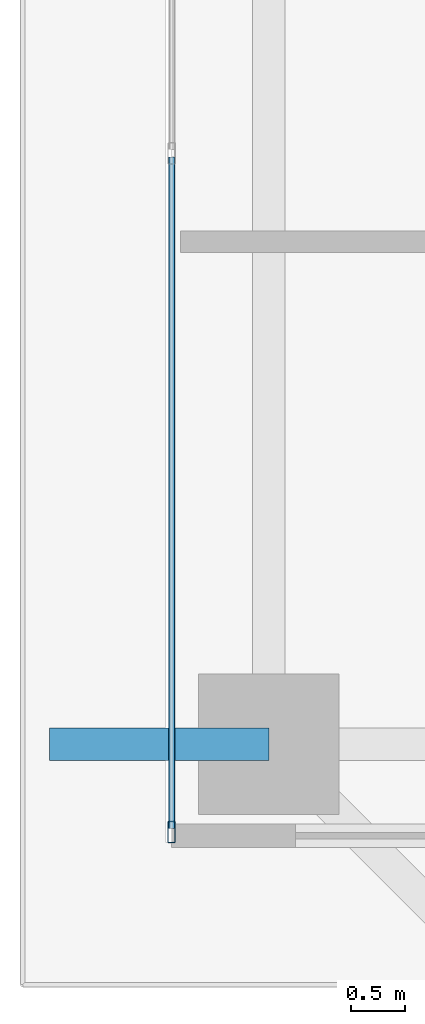
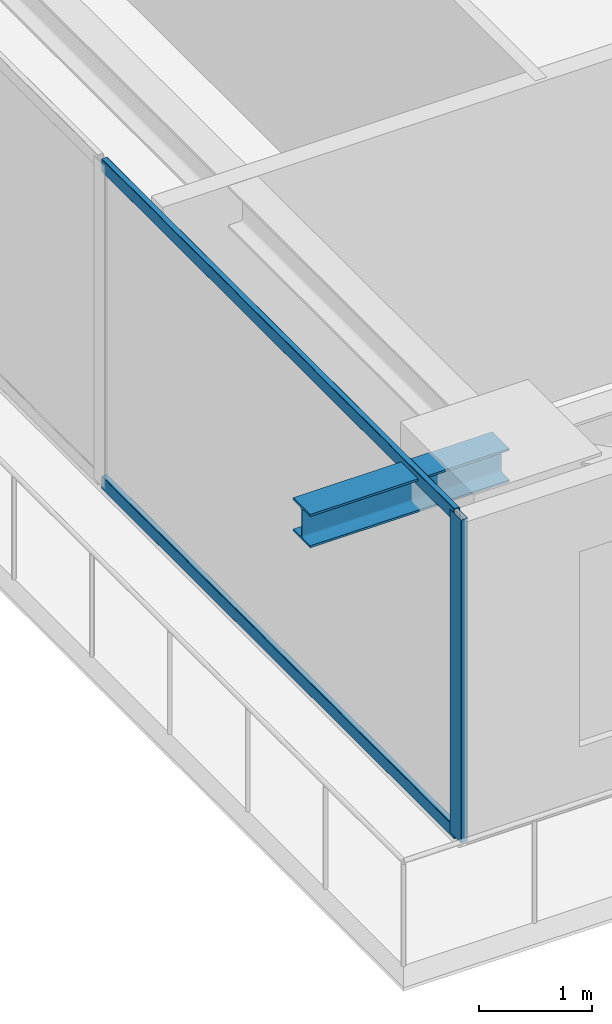
# One storey, part 3 of 36: 3 members, 1 beam, 1 element without a shape of its own.
"""IFC4 building model written with IfcOpenShell, lengths in metres."""

from ifc_helpers import new_model, si_unit, direction, frame, origin, origin_2d, place, context, subcontext, project, spatial, hollow_rectangle, i_section, extrude, source, transform, mapped, material, layer, layer_set, material_profile, profile_set, type_object, element, aggregate, save


model = new_model("IFC4")

# Units and contexts
model_context = context("Model", 3, precision=1e-05, world=origin(), true_north=direction((0.0, 1.0)))
body_context = subcontext(model_context, "Body", "Model", "MODEL_VIEW")
ifc_project = project(units=[si_unit("LENGTHUNIT", "METRE"), si_unit("AREAUNIT", "SQUARE_METRE"), si_unit("VOLUMEUNIT", "CUBIC_METRE"), si_unit("PLANEANGLEUNIT", "RADIAN"), si_unit("MASSUNIT", "GRAM", prefix="KILO")], contexts=[model_context])

# Site, building, storey
site_placement = place(None, origin())
site = spatial("IfcSite", under=ifc_project, at=site_placement, CompositionType="ELEMENT")
building_placement = place(site_placement, origin())
building = spatial("IfcBuilding", under=site, at=building_placement, Name="Serunith Strait Residences", CompositionType="ELEMENT")
storey_placement = place(building_placement, frame((0.0, 0.0, 146.39990234375)))
storey = spatial("IfcBuildingStorey", under=building, at=storey_placement, Name="L36", CompositionType="ELEMENT", Elevation=146.39990234375)

# Beam
ifc_material_1 = material(Name="Steel S355J2", Category="steel")
ifc_material_profile_1 = material_profile(ifc_material_1, i_section(OverallWidth=0.300048828125, OverallDepth=0.360107421875, WebThickness=0.012451171875, FlangeThickness=0.0224609375, FilletRadius=0.027099609375, at=origin_2d()), Name="HEB 360")
ifc_profile_set_1 = profile_set([ifc_material_profile_1], Name="Steel S355J2")
beam_type = type_object("IfcBeamType", Name="BM-HEB360", PredefinedType="BEAM", material=ifc_profile_set_1)
shared_shape_1 = source(origin(), body_context, "Body", "SweptSolid", [
    extrude(i_section(OverallWidth=0.300048828125, OverallDepth=0.360107421875, WebThickness=0.012451171875, FlangeThickness=0.0224609375, FilletRadius=0.027099609375, at=origin_2d()), origin(), (0.0, 0.0, 1.0), 2.030029296875),
])
beam_placement = place(storey_placement, frame((8.699951171875, 10.25, 3.277099609375), z_axis=(-1.0, 0.0, 0.0), x_axis=(0.0, -1.0, 0.0)))
element("IfcBeam", 1, at=beam_placement, inside=storey, type_object=beam_type, Name="L37 Cantilevered Balcony Rib TC-W1", PredefinedType="BEAM", context=body_context, shape_type="MappedRepresentation", body=[
    mapped(shared_shape_1, transform((0.0, 0.0, 0.0), scale=1.0)),
])

# Curtain wall, members
ifc_material_2 = material(Name="Pale-Champagne Anodised Aluminium", Category="aluminium")
ifc_layer = layer(ifc_material_2, 0.199951171875, Name="Pale-Champagne Anodised Aluminium")
ifc_layer_set = layer_set([ifc_layer], Name="Pale-Champagne Anodised Aluminium")
curtain_wall_type = type_object("IfcCurtainWallType", Name="CW-SYS2", PredefinedType="NOTDEFINED", material=ifc_layer_set)
curtain_wall_placement = place(storey_placement, origin())
curtain_wall = element("IfcCurtainWall", 2, at=curtain_wall_placement, inside=storey, type_object=curtain_wall_type, Name="L36 W Unitised Fritted Curtain Wall", PredefinedType="NOTDEFINED")
ifc_material_profile_2 = material_profile(ifc_material_2, hollow_rectangle(XDim=0.070068359375, YDim=0.199951171875, WallThickness=0.00390625, InnerFilletRadius=0.006103515625, OuterFilletRadius=0.010009765625, at=origin_2d()), Name="ALU 200x70x4")
ifc_profile_set_2 = profile_set([ifc_material_profile_2], Name="Pale-Champagne Anodised Aluminium")
member_type_1 = type_object("IfcMemberType", Name="CW-SYS2-MULL", PredefinedType="MULLION", material=ifc_profile_set_2)
shared_shape_2 = source(origin(), body_context, "Body", "SweptSolid", [
    extrude(hollow_rectangle(XDim=0.070068359375, YDim=0.199951171875, WallThickness=0.00390625, InnerFilletRadius=0.006103515625, OuterFilletRadius=0.010009765625, at=origin_2d()), origin(), (0.0, 0.0, 1.0), 3.47509765625),
])
member_1_placement = place(storey_placement, frame((7.800048828125, 9.43505859375, 0.0), z_axis=(0.0, 0.0, 1.0), x_axis=(1.0, 0.0, 0.0)))
member_1 = element("IfcMember", 3, at=member_1_placement, type_object=member_type_1, Name="CW-2 mullion 6", PredefinedType="MULLION", context=body_context, shape_type="MappedRepresentation", body=[
    mapped(shared_shape_2, transform((0.0, 0.0, 0.0), scale=1.0)),
])
ifc_material_profile_3 = material_profile(ifc_material_2, hollow_rectangle(XDim=0.06005859375, YDim=0.139892578125, WallThickness=0.00341796875, InnerFilletRadius=0.00537109375, OuterFilletRadius=0.0087890625, at=origin_2d()), Name="ALU 140x60x3.5")
ifc_profile_set_3 = profile_set([ifc_material_profile_3], Name="Pale-Champagne Anodised Aluminium")
member_type_2 = type_object("IfcMemberType", Name="CW-SYS2-TRAN", PredefinedType="USERDEFINED", material=ifc_profile_set_3)
shared_shape_3 = source(origin(), body_context, "Body", "SweptSolid", [
    extrude(hollow_rectangle(XDim=0.06005859375, YDim=0.139892578125, WallThickness=0.00341796875, InnerFilletRadius=0.00537109375, OuterFilletRadius=0.0087890625, at=origin_2d()), origin(), (0.0, 0.0, 1.0), 6.215087890625),
])
member_2_placement = place(storey_placement, frame((7.800048828125, 15.68505859375, 0.030029296875), z_axis=(0.0, -1.0, 0.0), x_axis=(1.0, 0.0, 0.0)))
member_2 = element("IfcMember", 4, at=member_2_placement, type_object=member_type_2, Name="CW-2 transom 5.1", ObjectType="TRANSOM", PredefinedType="USERDEFINED", context=body_context, shape_type="MappedRepresentation", body=[
    mapped(shared_shape_3, transform((0.0, 0.0, 0.0), scale=1.0)),
])
member_3_placement = place(storey_placement, frame((7.800048828125, 15.68505859375, 3.445068359375), z_axis=(0.0, -1.0, 0.0), x_axis=(1.0, 0.0, 0.0)))
member_3 = element("IfcMember", 5, at=member_3_placement, type_object=member_type_2, Name="CW-2 transom 5.2", ObjectType="TRANSOM", PredefinedType="USERDEFINED", context=body_context, shape_type="MappedRepresentation", body=[
    mapped(shared_shape_3, transform((0.0, 0.0, 0.0), scale=1.0)),
])
aggregate(curtain_wall, [member_1, member_2, member_3])

save(model, "model.ifc")
